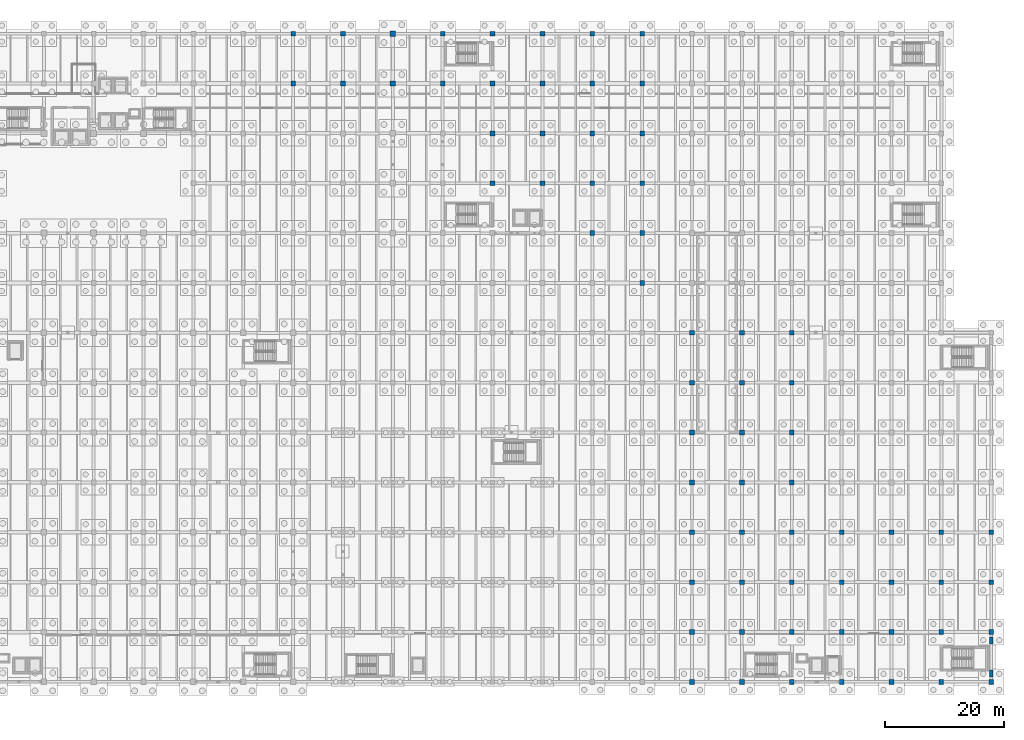
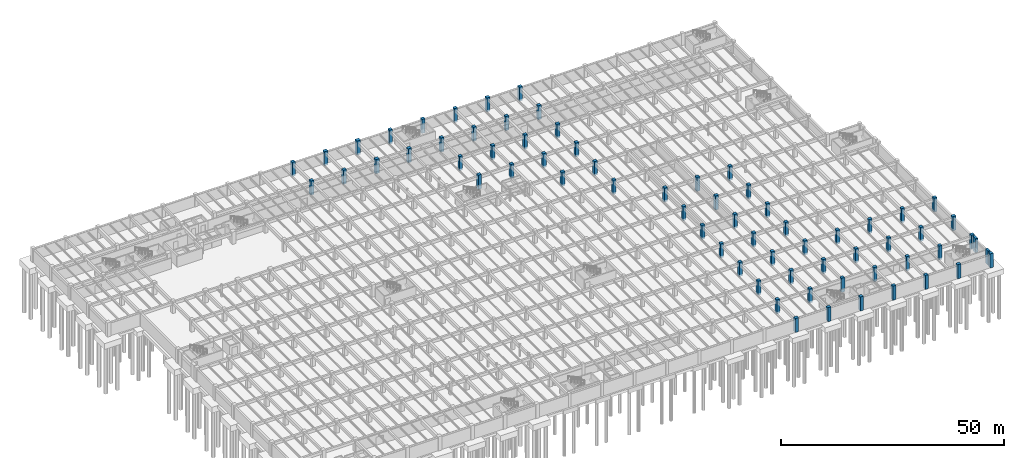
# One storey, part 21 of 70: 69 columns.
"""IFC4 building model written with IfcOpenShell, lengths in metres."""

from ifc_helpers import new_model, si_unit, direction, frame, origin, origin_2d, place, context, subcontext, project, spatial, rectangle, extrude, material, material_profile, profile_set, type_object, element, save


model = new_model("IFC4")

# Units and contexts
model_context = context("Model", 3, precision=1e-05, world=origin(), true_north=direction((0.0, 1.0)))
body_context = subcontext(model_context, "Body", "Model", "MODEL_VIEW")
ifc_project = project(units=[si_unit("LENGTHUNIT", "METRE"), si_unit("AREAUNIT", "SQUARE_METRE"), si_unit("VOLUMEUNIT", "CUBIC_METRE"), si_unit("PLANEANGLEUNIT", "RADIAN"), si_unit("MASSUNIT", "GRAM", prefix="KILO")], contexts=[model_context])

# Site, building, storey
site_placement = place(None, origin())
site = spatial("IfcSite", under=ifc_project, at=site_placement, CompositionType="ELEMENT")
building_placement = place(site_placement, origin())
building = spatial("IfcBuilding", under=site, at=building_placement, Name="Cumbredor Promenade Congress Hotel", CompositionType="ELEMENT")
storey_placement = place(building_placement, frame((0.0, 0.0, -7.56005859375)))
storey = spatial("IfcBuildingStorey", under=building, at=storey_placement, Name="B02", CompositionType="ELEMENT", Elevation=-7.56005859375)

# Columns
ifc_material = material(Name="Concrete C50/60", Category="concrete")
ifc_material_profile_1 = material_profile(ifc_material, rectangle(XDim=0.800048828125, YDim=0.800048828125, at=origin_2d()), Name="RC 800x800")
ifc_profile_set_1 = profile_set([ifc_material_profile_1], Name="Concrete C50/60")
column_type_1 = type_object("IfcColumnType", Name="COL-RC-800", PredefinedType="COLUMN", material=ifc_profile_set_1)
for number, where, z_axis, x_axis, name in (
    (1, (67.199951171875, 109.199951171875, -0.5), (0.0, 0.0, 1.0), (1.0, 0.0, 0.0), "B02 Structural Column 112"),
    (2, (67.199951171875, 117.60009765625, -0.5), (0.0, 0.0, 1.0), (1.0, 0.0, 0.0), "B02 Structural Column 113"),
    (3, (75.60009765625, 109.199951171875, -0.5), (0.0, 0.0, 1.0), (1.0, 0.0, 0.0), "B02 Structural Column 126"),
    (4, (75.60009765625, 117.60009765625, -0.5), (0.0, 0.0, 1.0), (1.0, 0.0, 0.0), "B02 Structural Column 127"),
    (5, (92.39990234375, 109.199951171875, -0.5), (0.0, 0.0, 1.0), (1.0, 0.0, 0.0), "B02 Structural Column 154"),
    (6, (92.39990234375, 117.60009765625, -0.5), (0.0, 0.0, 1.0), (1.0, 0.0, 0.0), "B02 Structural Column 155"),
    (7, (100.800048828125, 92.39990234375, -0.5), (0.0, 0.0, 1.0), (1.0, 0.0, 0.0), "B02 Structural Column 166"),
    (8, (100.800048828125, 100.800048828125, -0.5), (0.0, 0.0, 1.0), (1.0, 0.0, 0.0), "B02 Structural Column 167"),
    (9, (100.800048828125, 109.199951171875, -0.5), (0.0, 0.0, 1.0), (1.0, 0.0, 0.0), "B02 Structural Column 168"),
    (10, (100.800048828125, 117.60009765625, -0.5), (0.0, 0.0, 1.0), (1.0, 0.0, 0.0), "B02 Structural Column 169"),
    (11, (109.199951171875, 92.39990234375, -0.5), (0.0, 0.0, 1.0), (1.0, 0.0, 0.0), "B02 Structural Column 180"),
    (12, (109.199951171875, 100.800048828125, -0.5), (0.0, 0.0, 1.0), (1.0, 0.0, 0.0), "B02 Structural Column 181"),
    (13, (109.199951171875, 109.199951171875, -0.5), (0.0, 0.0, 1.0), (1.0, 0.0, 0.0), "B02 Structural Column 182"),
    (14, (109.199951171875, 117.60009765625, -0.5), (0.0, 0.0, 1.0), (1.0, 0.0, 0.0), "B02 Structural Column 183"),
    (15, (117.60009765625, 84.0, -0.5), (0.0, 0.0, 1.0), (1.0, 0.0, 0.0), "B02 Structural Column 193"),
    (16, (117.60009765625, 92.39990234375, -0.5), (0.0, 0.0, 1.0), (1.0, 0.0, 0.0), "B02 Structural Column 194"),
    (17, (117.60009765625, 100.800048828125, -0.5), (0.0, 0.0, 1.0), (1.0, 0.0, 0.0), "B02 Structural Column 195"),
    (18, (117.60009765625, 109.199951171875, -0.5), (0.0, 0.0, 1.0), (1.0, 0.0, 0.0), "B02 Structural Column 196"),
    (19, (117.60009765625, 117.60009765625, -0.5), (0.0, 0.0, 1.0), (1.0, 0.0, 0.0), "B02 Structural Column 197"),
    (20, (126.0, 75.60009765625, -0.5), (0.0, 0.0, 1.0), (1.0, 0.0, 0.0), "B02 Structural Column 206"),
    (21, (126.0, 84.0, -0.5), (0.0, 0.0, 1.0), (1.0, 0.0, 0.0), "B02 Structural Column 207"),
    (22, (126.0, 92.39990234375, -0.5), (0.0, 0.0, 1.0), (1.0, 0.0, 0.0), "B02 Structural Column 208"),
    (23, (126.0, 100.800048828125, -0.5), (0.0, 0.0, 1.0), (1.0, 0.0, 0.0), "B02 Structural Column 209"),
    (24, (126.0, 109.199951171875, -0.5), (0.0, 0.0, 1.0), (1.0, 0.0, 0.0), "B02 Structural Column 210"),
    (25, (126.0, 117.60009765625, -0.5), (0.0, 0.0, 1.0), (1.0, 0.0, 0.0), "B02 Structural Column 211"),
    (26, (134.39990234375, 8.39990234375, -0.5), (0.0, 0.0, 1.0), (1.0, 0.0, 0.0), "B02 Structural Column 212"),
    (27, (134.39990234375, 16.800048828125, -0.5), (0.0, 0.0, 1.0), (1.0, 0.0, 0.0), "B02 Structural Column 213"),
    (28, (134.39990234375, 25.199951171875, -0.5), (0.0, 0.0, 1.0), (1.0, 0.0, 0.0), "B02 Structural Column 214"),
    (29, (134.39990234375, 33.60009765625, -0.5), (0.0, 0.0, 1.0), (1.0, 0.0, 0.0), "B02 Structural Column 215"),
    (30, (134.39990234375, 42.0, -0.5), (0.0, 0.0, 1.0), (1.0, 0.0, 0.0), "B02 Structural Column 216"),
    (31, (134.39990234375, 50.39990234375, -0.5), (0.0, 0.0, 1.0), (1.0, 0.0, 0.0), "B02 Structural Column 217"),
    (32, (134.39990234375, 58.800048828125, -0.5), (0.0, 0.0, 1.0), (1.0, 0.0, 0.0), "B02 Structural Column 218"),
    (33, (134.39990234375, 67.199951171875, -0.5), (0.0, 0.0, 1.0), (1.0, 0.0, 0.0), "B02 Structural Column 219"),
    (34, (142.800048828125, 8.39990234375, -0.5), (0.0, 0.0, 1.0), (1.0, 0.0, 0.0), "B02 Structural Column 226"),
    (35, (142.800048828125, 16.800048828125, -0.5), (0.0, 0.0, 1.0), (1.0, 0.0, 0.0), "B02 Structural Column 227"),
    (36, (142.800048828125, 25.199951171875, -0.5), (0.0, 0.0, 1.0), (1.0, 0.0, 0.0), "B02 Structural Column 228"),
    (37, (142.800048828125, 33.60009765625, -0.5), (0.0, 0.0, 1.0), (1.0, 0.0, 0.0), "B02 Structural Column 229"),
    (38, (142.800048828125, 42.0, -0.5), (0.0, 0.0, 1.0), (1.0, 0.0, 0.0), "B02 Structural Column 230"),
    (39, (142.800048828125, 50.39990234375, -0.5), (0.0, 0.0, 1.0), (1.0, 0.0, 0.0), "B02 Structural Column 231"),
    (40, (142.800048828125, 58.800048828125, -0.5), (0.0, 0.0, 1.0), (1.0, 0.0, 0.0), "B02 Structural Column 232"),
    (41, (142.800048828125, 67.199951171875, -0.5), (0.0, 0.0, 1.0), (1.0, 0.0, 0.0), "B02 Structural Column 233"),
    (42, (151.199951171875, 8.39990234375, -0.5), (0.0, 0.0, 1.0), (1.0, 0.0, 0.0), "B02 Structural Column 240"),
    (43, (151.199951171875, 16.800048828125, -0.5), (0.0, 0.0, 1.0), (1.0, 0.0, 0.0), "B02 Structural Column 241"),
    (44, (151.199951171875, 25.199951171875, -0.5), (0.0, 0.0, 1.0), (1.0, 0.0, 0.0), "B02 Structural Column 242"),
    (45, (151.199951171875, 33.60009765625, -0.5), (0.0, 0.0, 1.0), (1.0, 0.0, 0.0), "B02 Structural Column 243"),
    (46, (151.199951171875, 42.0, -0.5), (0.0, 0.0, 1.0), (1.0, 0.0, 0.0), "B02 Structural Column 244"),
    (47, (151.199951171875, 50.39990234375, -0.5), (0.0, 0.0, 1.0), (1.0, 0.0, 0.0), "B02 Structural Column 245"),
    (48, (151.199951171875, 58.800048828125, -0.5), (0.0, 0.0, 1.0), (1.0, 0.0, 0.0), "B02 Structural Column 246"),
    (49, (151.199951171875, 67.199951171875, -0.5), (0.0, 0.0, 1.0), (1.0, 0.0, 0.0), "B02 Structural Column 247"),
    (50, (159.60009765625, 8.39990234375, -0.5), (0.0, 0.0, 1.0), (1.0, 0.0, 0.0), "B02 Structural Column 254"),
    (51, (159.60009765625, 16.800048828125, -0.5), (0.0, 0.0, 1.0), (1.0, 0.0, 0.0), "B02 Structural Column 255"),
    (52, (159.60009765625, 25.199951171875, -0.5), (0.0, 0.0, 1.0), (1.0, 0.0, 0.0), "B02 Structural Column 256"),
    (53, (159.60009765625, 33.60009765625, -0.5), (0.0, 0.0, 1.0), (1.0, 0.0, 0.0), "B02 Structural Column 257"),
    (54, (168.0, 8.39990234375, -0.5), (0.0, 0.0, 1.0), (1.0, 0.0, 0.0), "B02 Structural Column 268"),
    (55, (168.0, 16.800048828125, -0.5), (0.0, 0.0, 1.0), (1.0, 0.0, 0.0), "B02 Structural Column 269"),
    (56, (168.0, 25.199951171875, -0.5), (0.0, 0.0, 1.0), (1.0, 0.0, 0.0), "B02 Structural Column 270"),
    (57, (168.0, 33.60009765625, -0.5), (0.0, 0.0, 1.0), (1.0, 0.0, 0.0), "B02 Structural Column 271"),
    (58, (176.39990234375, 8.39990234375, -0.5), (0.0, 0.0, 1.0), (1.0, 0.0, 0.0), "B02 Structural Column 282"),
    (59, (176.39990234375, 16.800048828125, -0.5), (0.0, 0.0, 1.0), (1.0, 0.0, 0.0), "B02 Structural Column 283"),
    (60, (176.39990234375, 25.199951171875, -0.5), (0.0, 0.0, 1.0), (1.0, 0.0, 0.0), "B02 Structural Column 284"),
    (61, (176.39990234375, 33.60009765625, -0.5), (0.0, 0.0, 1.0), (1.0, 0.0, 0.0), "B02 Structural Column 285"),
    (62, (184.800048828125, 8.39990234375, -0.5), (0.0, 0.0, 1.0), (1.0, 0.0, 0.0), "B02 Structural Column 296"),
    (63, (184.800048828125, 16.800048828125, -0.5), (0.0, 0.0, 1.0), (1.0, 0.0, 0.0), "B02 Structural Column 297"),
    (64, (184.800048828125, 25.199951171875, -0.5), (0.0, 0.0, 1.0), (1.0, 0.0, 0.0), "B02 Structural Column 298"),
    (65, (184.800048828125, 33.60009765625, -0.5), (0.0, 0.0, 1.0), (1.0, 0.0, 0.0), "B02 Structural Column 299"),
):
    element("IfcColumn", number, at=place(storey_placement, frame(where, z_axis=z_axis, x_axis=x_axis)), inside=storey, type_object=column_type_1, Name=name, PredefinedType="COLUMN", context=body_context, shape_type="SweptSolid", body=[
        extrude(rectangle(XDim=0.800048828125, YDim=0.800048828125, at=origin_2d()), origin(), (0.0, 0.0, 1.0), 3.860107421875),
    ])
ifc_material_profile_2 = material_profile(ifc_material, rectangle(XDim=0.89990234375, YDim=0.89990234375, at=origin_2d()), Name="RC 900x900")
ifc_profile_set_2 = profile_set([ifc_material_profile_2], Name="Concrete C50/60")
column_type_2 = type_object("IfcColumnType", Name="COL-RC-900", PredefinedType="COLUMN", material=ifc_profile_set_2)
for number, where, z_axis, x_axis, name in (
    (66, (84.0, 109.199951171875, -0.5), (0.0, 0.0, 1.0), (1.0, 0.0, 0.0), "B02 Structural Column 140"),
    (67, (84.0, 117.60009765625, -0.5), (0.0, 0.0, 1.0), (1.0, 0.0, 0.0), "B02 Structural Column 141"),
):
    element("IfcColumn", number, at=place(storey_placement, frame(where, z_axis=z_axis, x_axis=x_axis)), inside=storey, type_object=column_type_2, Name=name, PredefinedType="COLUMN", context=body_context, shape_type="SweptSolid", body=[
        extrude(rectangle(XDim=0.89990234375, YDim=0.89990234375, at=origin_2d()), origin(), (0.0, 0.0, 1.0), 3.860107421875),
    ])
ifc_material_profile_3 = material_profile(ifc_material, rectangle(XDim=0.60009765625, YDim=1.199951171875, at=origin_2d()), Name="RC PILASTER 1200x600")
ifc_profile_set_3 = profile_set([ifc_material_profile_3], Name="Concrete C50/60")
column_type_3 = type_object("IfcColumnType", Name="PIL-RC-1200x600", PredefinedType="PILASTER", material=ifc_profile_set_3)
for number, where, z_axis, x_axis, name in (
    (68, (184.800048828125, 9.800048828125, -0.5), (0.0, 0.0, 1.0), (1.0, 0.0, 0.0), "B02 Acoustic Seismic Pilaster 005"),
    (69, (184.800048828125, 15.39990234375, -0.5), (0.0, 0.0, 1.0), (1.0, 0.0, 0.0), "B02 Acoustic Seismic Pilaster 006"),
):
    element("IfcColumn", number, at=place(storey_placement, frame(where, z_axis=z_axis, x_axis=x_axis)), inside=storey, type_object=column_type_3, Name=name, PredefinedType="PILASTER", context=body_context, shape_type="SweptSolid", body=[
        extrude(rectangle(XDim=0.60009765625, YDim=1.199951171875, at=origin_2d()), origin(), (0.0, 0.0, 1.0), 3.860107421875),
    ])

save(model, "model.ifc")
